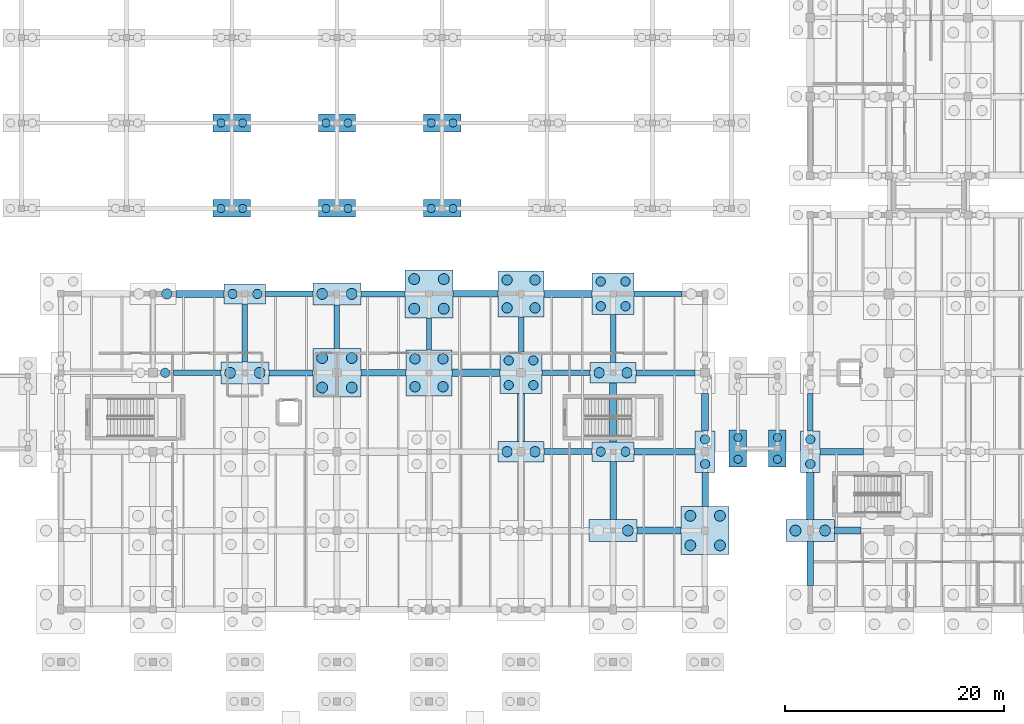
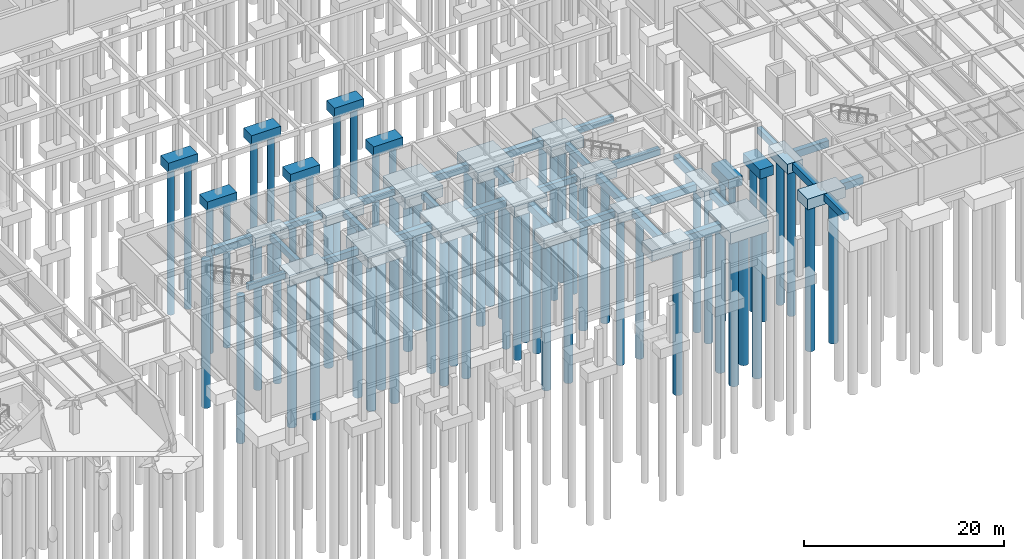
# One storey, part 5 of 63: 65 piles, 55 footings.
"""IFC4 building model written with IfcOpenShell, lengths in metres."""

from ifc_helpers import new_model, si_unit, direction, frame, origin, origin_2d, place, context, subcontext, project, spatial, rectangle, circle, extrude, material, material_profile, profile_set, type_object, element, save


model = new_model("IFC4")

# Units and contexts
model_context = context("Model", 3, precision=1e-05, world=origin(), true_north=direction((0.0, 1.0)))
body_context = subcontext(model_context, "Body", "Model", "MODEL_VIEW")
ifc_project = project(units=[si_unit("LENGTHUNIT", "METRE"), si_unit("AREAUNIT", "SQUARE_METRE"), si_unit("VOLUMEUNIT", "CUBIC_METRE"), si_unit("PLANEANGLEUNIT", "RADIAN"), si_unit("MASSUNIT", "GRAM", prefix="KILO")], contexts=[model_context])

# Site, building, storey
site_placement = place(None, origin())
site = spatial("IfcSite", under=ifc_project, at=site_placement, CompositionType="ELEMENT")
building_placement = place(site_placement, origin())
building = spatial("IfcBuilding", under=site, at=building_placement, Name="Mazaris Harbour Polytechnic", CompositionType="ELEMENT")
storey_placement = place(building_placement, frame((0.0, 0.0, -4.5)))
storey = spatial("IfcBuildingStorey", under=building, at=storey_placement, Name="B1", CompositionType="ELEMENT", Elevation=-4.5)

# Piles
ifc_material_1 = material(Name="Concrete C35/45", Category="concrete")
ifc_material_profile_1 = material_profile(ifc_material_1, circle(Radius=0.5, at=origin_2d()), Name="DIA1000")
ifc_profile_set_1 = profile_set([ifc_material_profile_1], Name="Concrete C35/45")
pile_type_1 = type_object("IfcPileType", Name="Bored Pile 1000", PredefinedType="BORED", material=ifc_profile_set_1)
for number, where, z_axis, x_axis, name in (
    (1, (121.050048828125, 14.39990234375, -1.6201171875), (0.0, 0.0, -1.0), (1.0, 0.0, 0.0), "Bored Pile BP-065-1"),
    (2, (123.75, 14.39990234375, -1.6201171875), (0.0, 0.0, -1.0), (1.0, 0.0, 0.0), "Bored Pile BP-065-2"),
    (3, (69.449951171875, 28.800048828125, -1.6201171875), (0.0, 0.0, -1.0), (1.0, 0.0, 0.0), "Bored Pile BP-125-1"),
    (4, (72.14990234375, 28.800048828125, -1.6201171875), (0.0, 0.0, -1.0), (1.0, 0.0, 0.0), "Bored Pile BP-125-2"),
    (5, (77.85009765625, 27.449951171875, -1.719970703125), (0.0, 0.0, -1.0), (1.0, 0.0, 0.0), "Bored Pile BP-130-1"),
    (6, (80.550048828125, 27.449951171875, -1.719970703125), (0.0, 0.0, -1.0), (1.0, 0.0, 0.0), "Bored Pile BP-130-2"),
    (7, (77.85009765625, 30.14990234375, -1.719970703125), (0.0, 0.0, -1.0), (1.0, 0.0, 0.0), "Bored Pile BP-130-3"),
    (8, (80.550048828125, 30.14990234375, -1.719970703125), (0.0, 0.0, -1.0), (1.0, 0.0, 0.0), "Bored Pile BP-130-4"),
    (9, (77.85009765625, 36.0, -1.6201171875), (0.0, 0.0, -1.0), (1.0, 0.0, 0.0), "Bored Pile BP-131-1"),
    (10, (80.550048828125, 36.0, -1.6201171875), (0.0, 0.0, -1.0), (1.0, 0.0, 0.0), "Bored Pile BP-131-2"),
    (11, (86.25, 34.64990234375, -1.719970703125), (0.0, 0.0, -1.0), (1.0, 0.0, 0.0), "Bored Pile BP-136-1"),
    (12, (88.949951171875, 34.64990234375, -1.719970703125), (0.0, 0.0, -1.0), (1.0, 0.0, 0.0), "Bored Pile BP-136-2"),
    (13, (86.25, 37.35009765625, -1.719970703125), (0.0, 0.0, -1.0), (1.0, 0.0, 0.0), "Bored Pile BP-136-3"),
    (14, (88.949951171875, 37.35009765625, -1.719970703125), (0.0, 0.0, -1.0), (1.0, 0.0, 0.0), "Bored Pile BP-136-4"),
    (15, (105.75, 14.39990234375, -1.6201171875), (0.0, 0.0, -1.0), (1.0, 0.0, 0.0), "Bored Pile BP-143-2"),
    (16, (111.449951171875, 13.050048828125, -1.719970703125), (0.0, 0.0, -1.0), (1.0, 0.0, 0.0), "Bored Pile BP-148-1"),
    (17, (114.14990234375, 13.050048828125, -1.719970703125), (0.0, 0.0, -1.0), (1.0, 0.0, 0.0), "Bored Pile BP-148-2"),
    (18, (111.449951171875, 15.75, -1.719970703125), (0.0, 0.0, -1.0), (1.0, 0.0, 0.0), "Bored Pile BP-148-3"),
    (19, (114.14990234375, 15.75, -1.719970703125), (0.0, 0.0, -1.0), (1.0, 0.0, 0.0), "Bored Pile BP-148-4"),
):
    element("IfcPile", number, at=place(storey_placement, frame(where, z_axis=z_axis, x_axis=x_axis)), inside=storey, type_object=pile_type_1, Name=name, PredefinedType="BORED", context=body_context, shape_type="SweptSolid", body=[
        extrude(circle(Radius=0.5, at=origin_2d()), origin(), (0.0, 0.0, 1.0), 18.0),
    ])
ifc_material_2 = material(Name="Concrete C35/45", Category="concrete")
ifc_material_profile_2 = material_profile(ifc_material_2, circle(Radius=0.375, at=origin_2d()), Name="DIA750")
ifc_profile_set_2 = profile_set([ifc_material_profile_2], Name="Concrete C35/45")
pile_type_2 = type_object("IfcPileType", Name="Bored Pile 750", PredefinedType="BORED", material=ifc_profile_set_2)
for number, where, z_axis, x_axis, name in (
    (20, (115.800048828125, 20.90625, -1.429931640625), (0.0, 0.0, -1.0), (1.0, 0.0, 0.0), "Bored Pile BP-321-1"),
    (21, (115.800048828125, 22.893798828125, -1.429931640625), (0.0, 0.0, -1.0), (1.0, 0.0, 0.0), "Bored Pile BP-321-2"),
    (22, (119.39990234375, 20.90625, -1.429931640625), (0.0, 0.0, -1.0), (1.0, 0.0, 0.0), "Bored Pile BP-323-1"),
    (23, (119.39990234375, 22.893798828125, -1.429931640625), (0.0, 0.0, -1.0), (1.0, 0.0, 0.0), "Bored Pile BP-323-2"),
    (24, (68.606201171875, 43.800048828125, -1.429931640625), (0.0, 0.0, -1.0), (1.0, 0.0, 0.0), "Bored Pile BP-348-1"),
    (25, (70.59375, 43.800048828125, -1.429931640625), (0.0, 0.0, -1.0), (1.0, 0.0, 0.0), "Bored Pile BP-348-2"),
    (26, (68.606201171875, 51.60009765625, -1.429931640625), (0.0, 0.0, -1.0), (1.0, 0.0, 0.0), "Bored Pile BP-349-1"),
    (27, (70.59375, 51.60009765625, -1.429931640625), (0.0, 0.0, -1.0), (1.0, 0.0, 0.0), "Bored Pile BP-349-2"),
    (28, (78.206298828125, 43.800048828125, -1.429931640625), (0.0, 0.0, -1.0), (1.0, 0.0, 0.0), "Bored Pile BP-352-1"),
    (29, (80.19384765625, 43.800048828125, -1.429931640625), (0.0, 0.0, -1.0), (1.0, 0.0, 0.0), "Bored Pile BP-352-2"),
    (30, (78.206298828125, 51.60009765625, -1.429931640625), (0.0, 0.0, -1.0), (1.0, 0.0, 0.0), "Bored Pile BP-353-1"),
    (31, (80.19384765625, 51.60009765625, -1.429931640625), (0.0, 0.0, -1.0), (1.0, 0.0, 0.0), "Bored Pile BP-353-2"),
    (32, (87.80615234375, 43.800048828125, -1.429931640625), (0.0, 0.0, -1.0), (1.0, 0.0, 0.0), "Bored Pile BP-356-1"),
    (33, (89.793701171875, 43.800048828125, -1.429931640625), (0.0, 0.0, -1.0), (1.0, 0.0, 0.0), "Bored Pile BP-356-2"),
    (34, (87.80615234375, 51.60009765625, -1.429931640625), (0.0, 0.0, -1.0), (1.0, 0.0, 0.0), "Bored Pile BP-357-1"),
    (35, (89.793701171875, 51.60009765625, -1.429931640625), (0.0, 0.0, -1.0), (1.0, 0.0, 0.0), "Bored Pile BP-357-2"),
):
    element("IfcPile", number, at=place(storey_placement, frame(where, z_axis=z_axis, x_axis=x_axis)), inside=storey, type_object=pile_type_2, Name=name, PredefinedType="BORED", context=body_context, shape_type="SweptSolid", body=[
        extrude(circle(Radius=0.375, at=origin_2d()), origin(), (0.0, 0.0, 1.0), 18.0),
    ])
ifc_material_3 = material(Name="Concrete C35/45", Category="concrete")
ifc_material_profile_3 = material_profile(ifc_material_3, circle(Radius=0.425048828125, at=origin_2d()), Name="DIA850")
ifc_profile_set_3 = profile_set([ifc_material_profile_3], Name="Concrete C35/45")
pile_type_3 = type_object("IfcPileType", Name="Bored Pile 850", PredefinedType="BORED", material=ifc_profile_set_3)
for number, where, z_axis, x_axis, name in (
    (36, (122.39990234375, 20.473876953125, -1.52001953125), (0.0, 0.0, -1.0), (1.0, 0.0, 0.0), "Bored Pile BP-066-1"),
    (37, (122.39990234375, 22.726318359375, -1.52001953125), (0.0, 0.0, -1.0), (1.0, 0.0, 0.0), "Bored Pile BP-066-2"),
    (38, (63.526123046875, 28.800048828125, -1.52001953125), (0.0, 0.0, -1.0), (1.0, 0.0, 0.0), "Bored Pile BP-120-2"),
    (39, (69.673828125, 36.0, -1.52001953125), (0.0, 0.0, -1.0), (1.0, 0.0, 0.0), "Bored Pile BP-126-1"),
    (40, (71.92626953125, 36.0, -1.52001953125), (0.0, 0.0, -1.0), (1.0, 0.0, 0.0), "Bored Pile BP-126-2"),
    (41, (94.873779296875, 27.673828125, -1.6201171875), (0.0, 0.0, -1.0), (1.0, 0.0, 0.0), "Bored Pile BP-140-1"),
    (42, (97.126220703125, 27.673828125, -1.6201171875), (0.0, 0.0, -1.0), (1.0, 0.0, 0.0), "Bored Pile BP-140-2"),
    (43, (94.873779296875, 29.92626953125, -1.6201171875), (0.0, 0.0, -1.0), (1.0, 0.0, 0.0), "Bored Pile BP-140-3"),
    (44, (97.126220703125, 29.92626953125, -1.6201171875), (0.0, 0.0, -1.0), (1.0, 0.0, 0.0), "Bored Pile BP-140-4"),
    (45, (103.273681640625, 21.60009765625, -1.52001953125), (0.0, 0.0, -1.0), (1.0, 0.0, 0.0), "Bored Pile BP-144-1"),
    (46, (105.526123046875, 21.60009765625, -1.52001953125), (0.0, 0.0, -1.0), (1.0, 0.0, 0.0), "Bored Pile BP-144-2"),
    (47, (103.273681640625, 34.873779296875, -1.6201171875), (0.0, 0.0, -1.0), (1.0, 0.0, 0.0), "Bored Pile BP-146-1"),
    (48, (105.526123046875, 34.873779296875, -1.6201171875), (0.0, 0.0, -1.0), (1.0, 0.0, 0.0), "Bored Pile BP-146-2"),
    (49, (103.273681640625, 37.126220703125, -1.6201171875), (0.0, 0.0, -1.0), (1.0, 0.0, 0.0), "Bored Pile BP-146-3"),
    (50, (105.526123046875, 37.126220703125, -1.6201171875), (0.0, 0.0, -1.0), (1.0, 0.0, 0.0), "Bored Pile BP-146-4"),
    (51, (112.800048828125, 20.473876953125, -1.52001953125), (0.0, 0.0, -1.0), (1.0, 0.0, 0.0), "Bored Pile BP-149-1"),
    (52, (112.800048828125, 22.726318359375, -1.52001953125), (0.0, 0.0, -1.0), (1.0, 0.0, 0.0), "Bored Pile BP-149-2"),
):
    element("IfcPile", number, at=place(storey_placement, frame(where, z_axis=z_axis, x_axis=x_axis)), inside=storey, type_object=pile_type_3, Name=name, PredefinedType="BORED", context=body_context, shape_type="SweptSolid", body=[
        extrude(circle(Radius=0.425048828125, at=origin_2d()), origin(), (0.0, 0.0, 1.0), 18.0),
    ])
ifc_material_4 = material(Name="Concrete C35/45", Category="concrete")
ifc_material_profile_4 = material_profile(ifc_material_4, circle(Radius=0.47509765625, at=origin_2d()), Name="DIA950")
ifc_profile_set_4 = profile_set([ifc_material_profile_4], Name="Concrete C35/45")
pile_type_4 = type_object("IfcPileType", Name="Bored Pile 950", PredefinedType="BORED", material=ifc_profile_set_4)
for number, where, z_axis, x_axis, name in (
    (53, (63.675048828125, 36.0, -1.570068359375), (0.0, 0.0, -1.0), (1.0, 0.0, 0.0), "Bored Pile BP-121-2"),
    (54, (86.324951171875, 27.52490234375, -1.669921875), (0.0, 0.0, -1.0), (1.0, 0.0, 0.0), "Bored Pile BP-135-1"),
    (55, (88.875, 27.52490234375, -1.669921875), (0.0, 0.0, -1.0), (1.0, 0.0, 0.0), "Bored Pile BP-135-2"),
    (56, (86.324951171875, 30.074951171875, -1.669921875), (0.0, 0.0, -1.0), (1.0, 0.0, 0.0), "Bored Pile BP-135-3"),
    (57, (88.875, 30.074951171875, -1.669921875), (0.0, 0.0, -1.0), (1.0, 0.0, 0.0), "Bored Pile BP-135-4"),
    (58, (94.72509765625, 21.60009765625, -1.570068359375), (0.0, 0.0, -1.0), (1.0, 0.0, 0.0), "Bored Pile BP-139-1"),
    (59, (97.27490234375, 21.60009765625, -1.570068359375), (0.0, 0.0, -1.0), (1.0, 0.0, 0.0), "Bored Pile BP-139-2"),
    (60, (94.72509765625, 34.72509765625, -1.669921875), (0.0, 0.0, -1.0), (1.0, 0.0, 0.0), "Bored Pile BP-141-1"),
    (61, (97.27490234375, 34.72509765625, -1.669921875), (0.0, 0.0, -1.0), (1.0, 0.0, 0.0), "Bored Pile BP-141-2"),
    (62, (94.72509765625, 37.27490234375, -1.669921875), (0.0, 0.0, -1.0), (1.0, 0.0, 0.0), "Bored Pile BP-141-3"),
    (63, (97.27490234375, 37.27490234375, -1.669921875), (0.0, 0.0, -1.0), (1.0, 0.0, 0.0), "Bored Pile BP-141-4"),
    (64, (103.125, 28.800048828125, -1.570068359375), (0.0, 0.0, -1.0), (1.0, 0.0, 0.0), "Bored Pile BP-145-1"),
    (65, (105.675048828125, 28.800048828125, -1.570068359375), (0.0, 0.0, -1.0), (1.0, 0.0, 0.0), "Bored Pile BP-145-2"),
):
    element("IfcPile", number, at=place(storey_placement, frame(where, z_axis=z_axis, x_axis=x_axis)), inside=storey, type_object=pile_type_4, Name=name, PredefinedType="BORED", context=body_context, shape_type="SweptSolid", body=[
        extrude(circle(Radius=0.47509765625, at=origin_2d()), origin(), (0.0, 0.0, 1.0), 18.0),
    ])

# Footings
ifc_material_5 = material(Name="Concrete C35/45", Category="concrete")
footing_type_1 = type_object("IfcFootingType", Name="Pile Cap 1600x3400x1150", PredefinedType="PILE_CAP", material=ifc_material_5)
for number, where, z_axis, x_axis, name in (
    (66, (115.800048828125, 21.89990234375, -1.530029296875), (0.0, 0.0, 1.0), (1.0, 0.0, 0.0), "Pile Cap CAP-321"),
    (67, (119.39990234375, 21.89990234375, -1.530029296875), (0.0, 0.0, 1.0), (1.0, 0.0, 0.0), "Pile Cap CAP-323"),
):
    element("IfcFooting", number, at=place(storey_placement, frame(where, z_axis=z_axis, x_axis=x_axis)), inside=storey, type_object=footing_type_1, Name=name, PredefinedType="PILE_CAP", context=body_context, shape_type="SweptSolid", body=[
        extrude(rectangle(XDim=1.60009765625, YDim=3.39990234375, at=origin_2d()), origin(), (0.0, 0.0, 1.0), 1.14990234375),
    ])
ifc_material_6 = material(Name="Concrete C35/45", Category="concrete")
footing_type_2 = type_object("IfcFootingType", Name="Pile Cap 1800x3800x1200", PredefinedType="PILE_CAP", material=ifc_material_6)
for number, where, z_axis, x_axis, name in (
    (68, (122.39990234375, 21.60009765625, -1.6201171875), (0.0, 0.0, 1.0), (1.0, 0.0, 0.0), "Pile Cap CAP-066"),
    (69, (112.800048828125, 21.60009765625, -1.6201171875), (0.0, 0.0, 1.0), (1.0, 0.0, 0.0), "Pile Cap CAP-149"),
):
    element("IfcFooting", number, at=place(storey_placement, frame(where, z_axis=z_axis, x_axis=x_axis)), inside=storey, type_object=footing_type_2, Name=name, PredefinedType="PILE_CAP", context=body_context, shape_type="SweptSolid", body=[
        extrude(rectangle(XDim=1.800048828125, YDim=3.800048828125, at=origin_2d()), origin(), (0.0, 0.0, 1.0), 1.199951171875),
    ])
ifc_material_7 = material(Name="Concrete C35/45", Category="concrete")
footing_type_3 = type_object("IfcFootingType", Name="Pile Cap 3400x1600x1150", PredefinedType="PILE_CAP", material=ifc_material_7)
for number, where, z_axis, x_axis, name in (
    (70, (69.60009765625, 43.800048828125, -1.530029296875), (0.0, 0.0, 1.0), (1.0, 0.0, 0.0), "Pile Cap CAP-348"),
    (71, (69.60009765625, 51.60009765625, -1.530029296875), (0.0, 0.0, 1.0), (1.0, 0.0, 0.0), "Pile Cap CAP-349"),
    (72, (79.199951171875, 43.800048828125, -1.530029296875), (0.0, 0.0, 1.0), (1.0, 0.0, 0.0), "Pile Cap CAP-352"),
    (73, (79.199951171875, 51.60009765625, -1.530029296875), (0.0, 0.0, 1.0), (1.0, 0.0, 0.0), "Pile Cap CAP-353"),
    (74, (88.800048828125, 43.800048828125, -1.530029296875), (0.0, 0.0, 1.0), (1.0, 0.0, 0.0), "Pile Cap CAP-356"),
    (75, (88.800048828125, 51.60009765625, -1.530029296875), (0.0, 0.0, 1.0), (1.0, 0.0, 0.0), "Pile Cap CAP-357"),
):
    element("IfcFooting", number, at=place(storey_placement, frame(where, z_axis=z_axis, x_axis=x_axis)), inside=storey, type_object=footing_type_3, Name=name, PredefinedType="PILE_CAP", context=body_context, shape_type="SweptSolid", body=[
        extrude(rectangle(XDim=3.39990234375, YDim=1.60009765625, at=origin_2d()), origin(), (0.0, 0.0, 1.0), 1.14990234375),
    ])
ifc_material_8 = material(Name="Concrete C35/45", Category="concrete")
footing_type_4 = type_object("IfcFootingType", Name="Pile Cap 3800x1800x1200", PredefinedType="PILE_CAP", material=ifc_material_8)
for number, where, z_axis, x_axis, name in (
    (76, (70.800048828125, 36.0, -1.6201171875), (0.0, 0.0, 1.0), (1.0, 0.0, 0.0), "Pile Cap CAP-126"),
    (77, (104.39990234375, 21.60009765625, -1.6201171875), (0.0, 0.0, 1.0), (1.0, 0.0, 0.0), "Pile Cap CAP-144"),
):
    element("IfcFooting", number, at=place(storey_placement, frame(where, z_axis=z_axis, x_axis=x_axis)), inside=storey, type_object=footing_type_4, Name=name, PredefinedType="PILE_CAP", context=body_context, shape_type="SweptSolid", body=[
        extrude(rectangle(XDim=3.800048828125, YDim=1.800048828125, at=origin_2d()), origin(), (0.0, 0.0, 1.0), 1.199951171875),
    ])
ifc_material_9 = material(Name="Concrete C35/45", Category="concrete")
footing_type_5 = type_object("IfcFootingType", Name="Pile Cap 3800x3800x1300", PredefinedType="PILE_CAP", material=ifc_material_9)
for number, where, z_axis, x_axis, name in (
    (78, (96.0, 28.800048828125, -1.72021484375), (0.0, 0.0, 1.0), (1.0, 0.0, 0.0), "Pile Cap CAP-140"),
    (79, (104.39990234375, 36.0, -1.72021484375), (0.0, 0.0, 1.0), (1.0, 0.0, 0.0), "Pile Cap CAP-146"),
):
    element("IfcFooting", number, at=place(storey_placement, frame(where, z_axis=z_axis, x_axis=x_axis)), inside=storey, type_object=footing_type_5, Name=name, PredefinedType="PILE_CAP", context=body_context, shape_type="SweptSolid", body=[
        extrude(rectangle(XDim=3.800048828125, YDim=3.800048828125, at=origin_2d()), origin(), (0.0, 0.0, 1.0), 1.300048828125),
    ])
ifc_material_10 = material(Name="Concrete C35/45", Category="concrete")
footing_type_6 = type_object("IfcFootingType", Name="Pile Cap 4200x1900x1250", PredefinedType="PILE_CAP", material=ifc_material_10)
for number, where, z_axis, x_axis, name in (
    (80, (96.0, 21.60009765625, -1.669921875), (0.0, 0.0, 1.0), (1.0, 0.0, 0.0), "Pile Cap CAP-139"),
    (81, (104.39990234375, 28.800048828125, -1.669921875), (0.0, 0.0, 1.0), (1.0, 0.0, 0.0), "Pile Cap CAP-145"),
):
    element("IfcFooting", number, at=place(storey_placement, frame(where, z_axis=z_axis, x_axis=x_axis)), inside=storey, type_object=footing_type_6, Name=name, PredefinedType="PILE_CAP", context=body_context, shape_type="SweptSolid", body=[
        extrude(rectangle(XDim=4.199951171875, YDim=1.89990234375, at=origin_2d()), origin(), (0.0, 0.0, 1.0), 1.25),
    ])
ifc_material_11 = material(Name="Concrete C35/45", Category="concrete")
footing_type_7 = type_object("IfcFootingType", Name="Pile Cap 4200x4200x1350", PredefinedType="PILE_CAP", material=ifc_material_11)
for number, where, z_axis, x_axis, name in (
    (82, (87.60009765625, 28.800048828125, -1.77001953125), (0.0, 0.0, 1.0), (1.0, 0.0, 0.0), "Pile Cap CAP-135"),
    (83, (96.0, 36.0, -1.77001953125), (0.0, 0.0, 1.0), (1.0, 0.0, 0.0), "Pile Cap CAP-141"),
):
    element("IfcFooting", number, at=place(storey_placement, frame(where, z_axis=z_axis, x_axis=x_axis)), inside=storey, type_object=footing_type_7, Name=name, PredefinedType="PILE_CAP", context=body_context, shape_type="SweptSolid", body=[
        extrude(rectangle(XDim=4.199951171875, YDim=4.199951171875, at=origin_2d()), origin(), (0.0, 0.0, 1.0), 1.35009765625),
    ])
ifc_material_12 = material(Name="Concrete C35/45", Category="concrete")
footing_type_8 = type_object("IfcFootingType", Name="Pile Cap 4400x2000x1300", PredefinedType="PILE_CAP", material=ifc_material_12)
for number, where, z_axis, x_axis, name in (
    (84, (122.39990234375, 14.39990234375, -1.72021484375), (0.0, 0.0, 1.0), (1.0, 0.0, 0.0), "Pile Cap CAP-065"),
    (85, (70.800048828125, 28.800048828125, -1.72021484375), (0.0, 0.0, 1.0), (1.0, 0.0, 0.0), "Pile Cap CAP-125"),
    (86, (79.199951171875, 36.0, -1.72021484375), (0.0, 0.0, 1.0), (1.0, 0.0, 0.0), "Pile Cap CAP-131"),
    (87, (104.39990234375, 14.39990234375, -1.72021484375), (0.0, 0.0, 1.0), (1.0, 0.0, 0.0), "Pile Cap CAP-143"),
):
    element("IfcFooting", number, at=place(storey_placement, frame(where, z_axis=z_axis, x_axis=x_axis)), inside=storey, type_object=footing_type_8, Name=name, PredefinedType="PILE_CAP", context=body_context, shape_type="SweptSolid", body=[
        extrude(rectangle(XDim=4.39990234375, YDim=2.0, at=origin_2d()), origin(), (0.0, 0.0, 1.0), 1.300048828125),
    ])
ifc_material_13 = material(Name="Concrete C35/45", Category="concrete")
footing_type_9 = type_object("IfcFootingType", Name="Pile Cap 4400x4400x1400", PredefinedType="PILE_CAP", material=ifc_material_13)
for number, where, z_axis, x_axis, name in (
    (88, (79.199951171875, 28.800048828125, -1.820068359375), (0.0, 0.0, 1.0), (1.0, 0.0, 0.0), "Pile Cap CAP-130"),
    (89, (87.60009765625, 36.0, -1.820068359375), (0.0, 0.0, 1.0), (1.0, 0.0, 0.0), "Pile Cap CAP-136"),
    (90, (112.800048828125, 14.39990234375, -1.820068359375), (0.0, 0.0, 1.0), (1.0, 0.0, 0.0), "Pile Cap CAP-148"),
):
    element("IfcFooting", number, at=place(storey_placement, frame(where, z_axis=z_axis, x_axis=x_axis)), inside=storey, type_object=footing_type_9, Name=name, PredefinedType="PILE_CAP", context=body_context, shape_type="SweptSolid", body=[
        extrude(rectangle(XDim=4.39990234375, YDim=4.39990234375, at=origin_2d()), origin(), (0.0, 0.0, 1.0), 1.39990234375),
    ])
ifc_material_14 = material(Name="Concrete C35/45", Category="concrete")
ifc_material_profile_5 = material_profile(ifc_material_14, rectangle(XDim=0.5, YDim=0.75, at=origin_2d()), Name="RECT500x750")
ifc_profile_set_5 = profile_set([ifc_material_profile_5], Name="Concrete C35/45")
footing_type_10 = type_object("IfcFootingType", Name="Seismic Tie Beam 500x750", PredefinedType="FOOTING_BEAM", material=ifc_profile_set_5)
footing_1_placement = place(storey_placement, frame((122.39990234375, 23.5, -0.8349609375), z_axis=(0.0, 1.0, 0.0), x_axis=(-1.0, 0.0, 0.0)))
element("IfcFooting", 91, at=footing_1_placement, inside=storey, type_object=footing_type_10, Name="Seismic Tie Beam FTB-148", PredefinedType="FOOTING_BEAM", context=body_context, shape_type="SweptSolid", body=[
    extrude(rectangle(XDim=0.5, YDim=0.75, at=origin_2d()), origin(), (0.0, 0.0, 1.0), 3.39990234375),
])
footing_2_placement = place(storey_placement, frame((64.300048828125, 28.800048828125, -0.8349609375), z_axis=(1.0, 0.0, 0.0), x_axis=(0.0, 1.0, 0.0)))
element("IfcFooting", 92, at=footing_2_placement, inside=storey, type_object=footing_type_10, Name="Seismic Tie Beam FTB-208", PredefinedType="FOOTING_BEAM", context=body_context, shape_type="SweptSolid", body=[
    extrude(rectangle(XDim=0.5, YDim=0.75, at=origin_2d()), origin(), (0.0, 0.0, 1.0), 4.300048828125),
])
footing_3_placement = place(storey_placement, frame((97.89990234375, 28.800048828125, -0.8349609375), z_axis=(1.0, 0.0, 0.0), x_axis=(0.0, 1.0, 0.0)))
element("IfcFooting", 93, at=footing_3_placement, inside=storey, type_object=footing_type_10, Name="Seismic Tie Beam FTB-212", PredefinedType="FOOTING_BEAM", context=body_context, shape_type="SweptSolid", body=[
    extrude(rectangle(XDim=0.5, YDim=0.75, at=origin_2d()), origin(), (0.0, 0.0, 1.0), 4.400146484375),
])
footing_4_placement = place(storey_placement, frame((72.699951171875, 36.0, -0.8349609375), z_axis=(1.0, 0.0, 0.0), x_axis=(0.0, 1.0, 0.0)))
element("IfcFooting", 94, at=footing_4_placement, inside=storey, type_object=footing_type_10, Name="Seismic Tie Beam FTB-216", PredefinedType="FOOTING_BEAM", context=body_context, shape_type="SweptSolid", body=[
    extrude(rectangle(XDim=0.5, YDim=0.75, at=origin_2d()), origin(), (0.0, 0.0, 1.0), 4.300048828125),
])
footing_5_placement = place(storey_placement, frame((106.300048828125, 36.0, -0.8349609375), z_axis=(1.0, 0.0, 0.0), x_axis=(0.0, 1.0, 0.0)))
element("IfcFooting", 95, at=footing_5_placement, inside=storey, type_object=footing_type_10, Name="Seismic Tie Beam FTB-220", PredefinedType="FOOTING_BEAM", context=body_context, shape_type="SweptSolid", body=[
    extrude(rectangle(XDim=0.5, YDim=0.75, at=origin_2d()), origin(), (0.0, 0.0, 1.0), 4.39990234375),
])
footing_6_placement = place(storey_placement, frame((70.800048828125, 29.800048828125, -0.8349609375), z_axis=(0.0, 1.0, 0.0), x_axis=(-1.0, 0.0, 0.0)))
element("IfcFooting", 96, at=footing_6_placement, inside=storey, type_object=footing_type_10, Name="Seismic Tie Beam FTB-232", PredefinedType="FOOTING_BEAM", context=body_context, shape_type="SweptSolid", body=[
    extrude(rectangle(XDim=0.5, YDim=0.75, at=origin_2d()), origin(), (0.0, 0.0, 1.0), 5.300048828125),
])
footing_7_placement = place(storey_placement, frame((79.199951171875, 31.0, -0.8349609375), z_axis=(0.0, 1.0, 0.0), x_axis=(-1.0, 0.0, 0.0)))
element("IfcFooting", 97, at=footing_7_placement, inside=storey, type_object=footing_type_10, Name="Seismic Tie Beam FTB-236", PredefinedType="FOOTING_BEAM", context=body_context, shape_type="SweptSolid", body=[
    extrude(rectangle(XDim=0.5, YDim=0.75, at=origin_2d()), origin(), (0.0, 0.0, 1.0), 4.0),
])
footing_8_placement = place(storey_placement, frame((87.60009765625, 30.89990234375, -0.8349609375), z_axis=(0.0, 1.0, 0.0), x_axis=(-1.0, 0.0, 0.0)))
element("IfcFooting", 98, at=footing_8_placement, inside=storey, type_object=footing_type_10, Name="Seismic Tie Beam FTB-240", PredefinedType="FOOTING_BEAM", context=body_context, shape_type="SweptSolid", body=[
    extrude(rectangle(XDim=0.5, YDim=0.75, at=origin_2d()), origin(), (0.0, 0.0, 1.0), 2.900146484375),
])
footing_9_placement = place(storey_placement, frame((96.0, 30.699951171875, -0.8349609375), z_axis=(0.0, 1.0, 0.0), x_axis=(-1.0, 0.0, 0.0)))
element("IfcFooting", 99, at=footing_9_placement, inside=storey, type_object=footing_type_10, Name="Seismic Tie Beam FTB-244", PredefinedType="FOOTING_BEAM", context=body_context, shape_type="SweptSolid", body=[
    extrude(rectangle(XDim=0.5, YDim=0.75, at=origin_2d()), origin(), (0.0, 0.0, 1.0), 3.199951171875),
])
footing_10_placement = place(storey_placement, frame((104.39990234375, 29.75, -0.8349609375), z_axis=(0.0, 1.0, 0.0), x_axis=(-1.0, 0.0, 0.0)))
element("IfcFooting", 100, at=footing_10_placement, inside=storey, type_object=footing_type_10, Name="Seismic Tie Beam FTB-248", PredefinedType="FOOTING_BEAM", context=body_context, shape_type="SweptSolid", body=[
    extrude(rectangle(XDim=0.5, YDim=0.75, at=origin_2d()), origin(), (0.0, 0.0, 1.0), 4.35009765625),
])
ifc_material_15 = material(Name="Concrete C35/45", Category="concrete")
ifc_material_profile_6 = material_profile(ifc_material_15, rectangle(XDim=0.550048828125, YDim=0.800048828125, at=origin_2d()), Name="RECT550x800")
ifc_profile_set_6 = profile_set([ifc_material_profile_6], Name="Concrete C35/45")
footing_type_11 = type_object("IfcFootingType", Name="Seismic Tie Beam 550x800", PredefinedType="FOOTING_BEAM", material=ifc_profile_set_6)
footing_11_placement = place(storey_placement, frame((98.10009765625, 21.60009765625, -0.860107421875), z_axis=(1.0, 0.0, 0.0), x_axis=(0.0, 1.0, 0.0)))
element("IfcFooting", 101, at=footing_11_placement, inside=storey, type_object=footing_type_11, Name="Seismic Tie Beam FTB-205", PredefinedType="FOOTING_BEAM", context=body_context, shape_type="SweptSolid", body=[
    extrude(rectangle(XDim=0.550048828125, YDim=0.800048828125, at=origin_2d()), origin(), (0.0, 0.0, 1.0), 4.39990234375),
])
footing_12_placement = place(storey_placement, frame((73.0, 28.800048828125, -0.860107421875), z_axis=(1.0, 0.0, 0.0), x_axis=(0.0, 1.0, 0.0)))
element("IfcFooting", 102, at=footing_12_placement, inside=storey, type_object=footing_type_11, Name="Seismic Tie Beam FTB-209", PredefinedType="FOOTING_BEAM", context=body_context, shape_type="SweptSolid", body=[
    extrude(rectangle(XDim=0.550048828125, YDim=0.800048828125, at=origin_2d()), origin(), (0.0, 0.0, 1.0), 4.0),
])
footing_13_placement = place(storey_placement, frame((106.5, 28.800048828125, -0.860107421875), z_axis=(1.0, 0.0, 0.0), x_axis=(0.0, 1.0, 0.0)))
element("IfcFooting", 103, at=footing_13_placement, inside=storey, type_object=footing_type_11, Name="Seismic Tie Beam FTB-213", PredefinedType="FOOTING_BEAM", context=body_context, shape_type="SweptSolid", body=[
    extrude(rectangle(XDim=0.550048828125, YDim=0.800048828125, at=origin_2d()), origin(), (0.0, 0.0, 1.0), 5.39990234375),
])
footing_14_placement = place(storey_placement, frame((81.39990234375, 36.0, -0.860107421875), z_axis=(1.0, 0.0, 0.0), x_axis=(0.0, 1.0, 0.0)))
element("IfcFooting", 104, at=footing_14_placement, inside=storey, type_object=footing_type_11, Name="Seismic Tie Beam FTB-217", PredefinedType="FOOTING_BEAM", context=body_context, shape_type="SweptSolid", body=[
    extrude(rectangle(XDim=0.550048828125, YDim=0.800048828125, at=origin_2d()), origin(), (0.0, 0.0, 1.0), 4.0),
])
ifc_material_16 = material(Name="Concrete C35/45", Category="concrete")
ifc_material_profile_7 = material_profile(ifc_material_16, rectangle(XDim=0.60009765625, YDim=0.85009765625, at=origin_2d()), Name="RECT600x850")
ifc_profile_set_7 = profile_set([ifc_material_profile_7], Name="Concrete C35/45")
footing_type_12 = type_object("IfcFootingType", Name="Seismic Tie Beam 600x850", PredefinedType="FOOTING_BEAM", material=ifc_profile_set_7)
footing_15_placement = place(storey_placement, frame((123.300048828125, 21.60009765625, -0.885009765625), z_axis=(1.0, 0.0, 0.0), x_axis=(0.0, 1.0, 0.0)))
element("IfcFooting", 105, at=footing_15_placement, inside=storey, type_object=footing_type_12, Name="Seismic Tie Beam FTB-118", PredefinedType="FOOTING_BEAM", context=body_context, shape_type="SweptSolid", body=[
    extrude(rectangle(XDim=0.60009765625, YDim=0.85009765625, at=origin_2d()), origin(), (0.0, 0.0, 1.0), 3.949951171875),
])
footing_16_placement = place(storey_placement, frame((122.39990234375, 9.39990234375, -0.885009765625), z_axis=(0.0, 1.0, 0.0), x_axis=(-1.0, 0.0, 0.0)))
element("IfcFooting", 106, at=footing_16_placement, inside=storey, type_object=footing_type_12, Name="Seismic Tie Beam FTB-146", PredefinedType="FOOTING_BEAM", context=body_context, shape_type="SweptSolid", body=[
    extrude(rectangle(XDim=0.60009765625, YDim=0.85009765625, at=origin_2d()), origin(), (0.0, 0.0, 1.0), 4.0),
])
footing_17_placement = place(storey_placement, frame((106.300048828125, 21.60009765625, -0.885009765625), z_axis=(1.0, 0.0, 0.0), x_axis=(0.0, 1.0, 0.0)))
element("IfcFooting", 107, at=footing_17_placement, inside=storey, type_object=footing_type_12, Name="Seismic Tie Beam FTB-206", PredefinedType="FOOTING_BEAM", context=body_context, shape_type="SweptSolid", body=[
    extrude(rectangle(XDim=0.60009765625, YDim=0.85009765625, at=origin_2d()), origin(), (0.0, 0.0, 1.0), 5.599853515625),
])
footing_18_placement = place(storey_placement, frame((81.39990234375, 28.800048828125, -0.885009765625), z_axis=(1.0, 0.0, 0.0), x_axis=(0.0, 1.0, 0.0)))
element("IfcFooting", 108, at=footing_18_placement, inside=storey, type_object=footing_type_12, Name="Seismic Tie Beam FTB-210", PredefinedType="FOOTING_BEAM", context=body_context, shape_type="SweptSolid", body=[
    extrude(rectangle(XDim=0.60009765625, YDim=0.85009765625, at=origin_2d()), origin(), (0.0, 0.0, 1.0), 4.10009765625),
])
footing_19_placement = place(storey_placement, frame((89.800048828125, 36.0, -0.885009765625), z_axis=(1.0, 0.0, 0.0), x_axis=(0.0, 1.0, 0.0)))
element("IfcFooting", 109, at=footing_19_placement, inside=storey, type_object=footing_type_12, Name="Seismic Tie Beam FTB-218", PredefinedType="FOOTING_BEAM", context=body_context, shape_type="SweptSolid", body=[
    extrude(rectangle(XDim=0.60009765625, YDim=0.85009765625, at=origin_2d()), origin(), (0.0, 0.0, 1.0), 4.099853515625),
])
footing_20_placement = place(storey_placement, frame((104.39990234375, 15.39990234375, -0.885009765625), z_axis=(0.0, 1.0, 0.0), x_axis=(-1.0, 0.0, 0.0)))
element("IfcFooting", 110, at=footing_20_placement, inside=storey, type_object=footing_type_12, Name="Seismic Tie Beam FTB-246", PredefinedType="FOOTING_BEAM", context=body_context, shape_type="SweptSolid", body=[
    extrude(rectangle(XDim=0.60009765625, YDim=0.85009765625, at=origin_2d()), origin(), (0.0, 0.0, 1.0), 5.300048828125),
])
footing_21_placement = place(storey_placement, frame((112.800048828125, 16.60009765625, -0.885009765625), z_axis=(0.0, 1.0, 0.0), x_axis=(-1.0, 0.0, 0.0)))
element("IfcFooting", 111, at=footing_21_placement, inside=storey, type_object=footing_type_12, Name="Seismic Tie Beam FTB-250", PredefinedType="FOOTING_BEAM", context=body_context, shape_type="SweptSolid", body=[
    extrude(rectangle(XDim=0.60009765625, YDim=0.85009765625, at=origin_2d()), origin(), (0.0, 0.0, 1.0), 3.099853515625),
])
ifc_material_17 = material(Name="Concrete C35/45", Category="concrete")
ifc_material_profile_8 = material_profile(ifc_material_17, rectangle(XDim=0.64990234375, YDim=0.89990234375, at=origin_2d()), Name="RECT650x900")
ifc_profile_set_8 = profile_set([ifc_material_profile_8], Name="Concrete C35/45")
footing_type_13 = type_object("IfcFootingType", Name="Seismic Tie Beam 650x900", PredefinedType="FOOTING_BEAM", material=ifc_profile_set_8)
footing_22_placement = place(storey_placement, frame((124.60009765625, 14.39990234375, -0.909912109375), z_axis=(1.0, 0.0, 0.0), x_axis=(0.0, 1.0, 0.0)))
element("IfcFooting", 112, at=footing_22_placement, inside=storey, type_object=footing_type_13, Name="Seismic Tie Beam FTB-111", PredefinedType="FOOTING_BEAM", context=body_context, shape_type="SweptSolid", body=[
    extrude(rectangle(XDim=0.64990234375, YDim=0.89990234375, at=origin_2d()), origin(), (0.0, 0.0, 1.0), 2.449951171875),
])
footing_23_placement = place(storey_placement, frame((122.39990234375, 15.39990234375, -0.909912109375), z_axis=(0.0, 1.0, 0.0), x_axis=(-1.0, 0.0, 0.0)))
element("IfcFooting", 113, at=footing_23_placement, inside=storey, type_object=footing_type_13, Name="Seismic Tie Beam FTB-147", PredefinedType="FOOTING_BEAM", context=body_context, shape_type="SweptSolid", body=[
    extrude(rectangle(XDim=0.64990234375, YDim=0.89990234375, at=origin_2d()), origin(), (0.0, 0.0, 1.0), 4.300048828125),
])
footing_24_placement = place(storey_placement, frame((106.60009765625, 14.39990234375, -0.909912109375), z_axis=(1.0, 0.0, 0.0), x_axis=(0.0, 1.0, 0.0)))
element("IfcFooting", 114, at=footing_24_placement, inside=storey, type_object=footing_type_13, Name="Seismic Tie Beam FTB-199", PredefinedType="FOOTING_BEAM", context=body_context, shape_type="SweptSolid", body=[
    extrude(rectangle(XDim=0.64990234375, YDim=0.89990234375, at=origin_2d()), origin(), (0.0, 0.0, 1.0), 4.0),
])
footing_25_placement = place(storey_placement, frame((89.699951171875, 28.800048828125, -0.909912109375), z_axis=(1.0, 0.0, 0.0), x_axis=(0.0, 1.0, 0.0)))
element("IfcFooting", 115, at=footing_25_placement, inside=storey, type_object=footing_type_13, Name="Seismic Tie Beam FTB-211", PredefinedType="FOOTING_BEAM", context=body_context, shape_type="SweptSolid", body=[
    extrude(rectangle(XDim=0.64990234375, YDim=0.89990234375, at=origin_2d()), origin(), (0.0, 0.0, 1.0), 4.400146484375),
])
for number, where, z_axis, x_axis, name in (
    (116, (64.5, 36.0, -0.909912109375), (1.0, 0.0, 0.0), (0.0, 1.0, 0.0), "Seismic Tie Beam FTB-215"),
    (117, (98.10009765625, 36.0, -0.909912109375), (1.0, 0.0, 0.0), (0.0, 1.0, 0.0), "Seismic Tie Beam FTB-219"),
):
    element("IfcFooting", number, at=place(storey_placement, frame(where, z_axis=z_axis, x_axis=x_axis)), inside=storey, type_object=footing_type_13, Name=name, PredefinedType="FOOTING_BEAM", context=body_context, shape_type="SweptSolid", body=[
        extrude(rectangle(XDim=0.64990234375, YDim=0.89990234375, at=origin_2d()), origin(), (0.0, 0.0, 1.0), 4.39990234375),
    ])
footing_26_placement = place(storey_placement, frame((96.0, 22.550048828125, -0.909912109375), z_axis=(0.0, 1.0, 0.0), x_axis=(-1.0, 0.0, 0.0)))
element("IfcFooting", 118, at=footing_26_placement, inside=storey, type_object=footing_type_13, Name="Seismic Tie Beam FTB-243", PredefinedType="FOOTING_BEAM", context=body_context, shape_type="SweptSolid", body=[
    extrude(rectangle(XDim=0.64990234375, YDim=0.89990234375, at=origin_2d()), origin(), (0.0, 0.0, 1.0), 4.349853515625),
])
footing_27_placement = place(storey_placement, frame((104.39990234375, 22.5, -0.909912109375), z_axis=(0.0, 1.0, 0.0), x_axis=(-1.0, 0.0, 0.0)))
element("IfcFooting", 119, at=footing_27_placement, inside=storey, type_object=footing_type_13, Name="Seismic Tie Beam FTB-247", PredefinedType="FOOTING_BEAM", context=body_context, shape_type="SweptSolid", body=[
    extrude(rectangle(XDim=0.64990234375, YDim=0.89990234375, at=origin_2d()), origin(), (0.0, 0.0, 1.0), 5.35009765625),
])
footing_28_placement = place(storey_placement, frame((112.800048828125, 23.5, -0.909912109375), z_axis=(0.0, 1.0, 0.0), x_axis=(-1.0, 0.0, 0.0)))
element("IfcFooting", 120, at=footing_28_placement, inside=storey, type_object=footing_type_13, Name="Seismic Tie Beam FTB-251", PredefinedType="FOOTING_BEAM", context=body_context, shape_type="SweptSolid", body=[
    extrude(rectangle(XDim=0.64990234375, YDim=0.89990234375, at=origin_2d()), origin(), (0.0, 0.0, 1.0), 3.39990234375),
])

save(model, "model.ifc")
